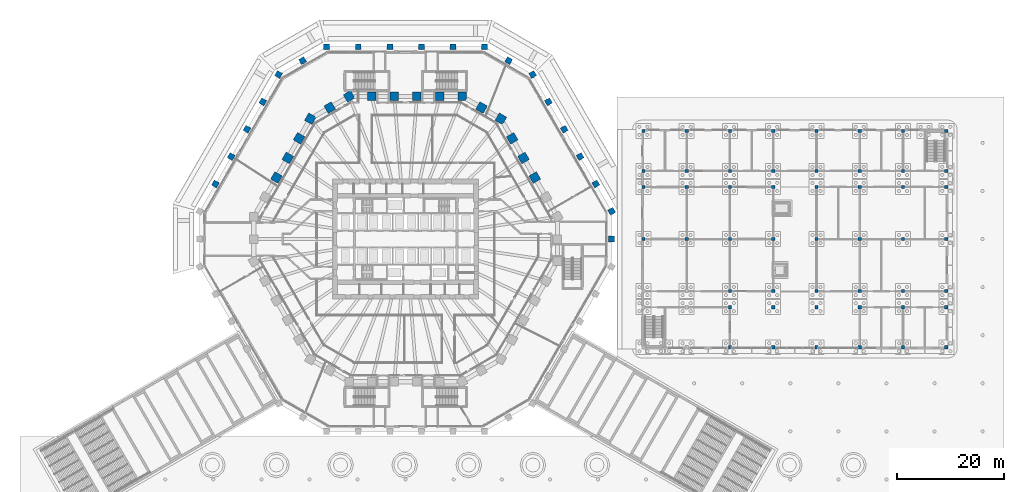
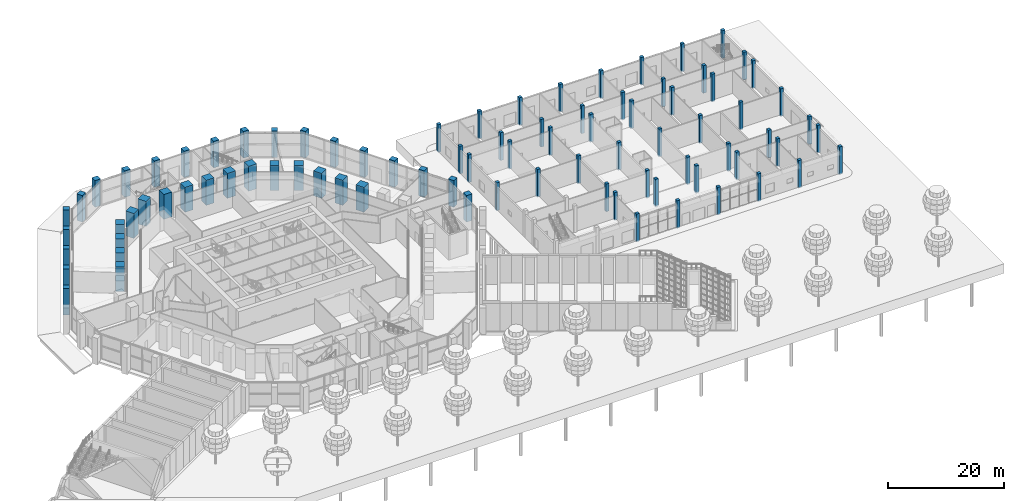
# One storey, part 3 of 44: 86 columns.
"""IFC4 building model written with IfcOpenShell, lengths in metres."""

from ifc_helpers import new_model, si_unit, direction, frame, origin, origin_2d, place, context, subcontext, project, spatial, rectangle, extrude, material, material_profile, profile_set, type_object, element, save


model = new_model("IFC4")

# Units and contexts
model_context = context("Model", 3, precision=1e-05, world=origin(), true_north=direction((0.0, 1.0)))
body_context = subcontext(model_context, "Body", "Model", "MODEL_VIEW")
ifc_project = project(units=[si_unit("LENGTHUNIT", "METRE"), si_unit("AREAUNIT", "SQUARE_METRE"), si_unit("VOLUMEUNIT", "CUBIC_METRE"), si_unit("PLANEANGLEUNIT", "RADIAN"), si_unit("MASSUNIT", "GRAM", prefix="KILO")], contexts=[model_context])

# Site, building, storey
site_placement = place(None, origin())
site = spatial("IfcSite", under=ifc_project, at=site_placement, CompositionType="ELEMENT")
building_placement = place(site_placement, origin())
building = spatial("IfcBuilding", under=site, at=building_placement, Name="Frailejon Research Tower", CompositionType="ELEMENT")
storey_placement = place(building_placement, origin())
storey = spatial("IfcBuildingStorey", under=building, at=storey_placement, Name="L00", CompositionType="ELEMENT", Elevation=0.0)

# Columns
ifc_material_1 = material(Name="Concrete C70/85", Category="concrete")
ifc_material_profile_1 = material_profile(ifc_material_1, rectangle(XDim=1.60009765625, YDim=1.60009765625, at=origin_2d()), Name="Column 1600")
ifc_profile_set_1 = profile_set([ifc_material_profile_1], Name="Concrete C70/85")
column_type_1 = type_object("IfcColumnType", Name="Column 1600", PredefinedType="COLUMN", material=ifc_profile_set_1)
for number, where, z_axis, x_axis, name in (
    (1, (24.180908203125, 11.517578125, 0.0), (0.0, 0.0, 1.0), (-0.5, 0.866025403784, 0.0), "Column C05"),
    (2, (22.06494140625, 15.1826171875, 0.0), (0.0, 0.0, 1.0), (-0.5, 0.866025403784, 0.0), "Column C06"),
    (3, (19.948974609375, 18.847412109375, 0.0), (0.0, 0.0, 1.0), (-0.5, 0.866025403784, 0.0), "Column C07"),
    (4, (17.8330078125, 22.512451171875, 0.0), (0.0, 0.0, 1.0), (-0.866025403784, 0.5, 0.0), "Column C08"),
    (5, (14.206298828125, 24.606201171875, 0.0), (0.0, 0.0, 1.0), (-0.866025403784, 0.5, 0.0), "Column C09"),
    (6, (10.579833984375, 26.699951171875, 0.0), (0.0, 0.0, 1.0), (-1.0, 0.0, 0.0), "Column C10"),
    (7, (6.347900390625, 26.699951171875, 0.0), (0.0, 0.0, 1.0), (-1.0, 0.0, 0.0), "Column C11"),
    (8, (2.115966796875, 26.699951171875, 0.0), (0.0, 0.0, 1.0), (-1.0, 0.0, 0.0), "Column C12"),
    (9, (-2.115966796875, 26.699951171875, 0.0), (0.0, 0.0, 1.0), (-1.0, 0.0, 0.0), "Column C13"),
    (10, (-6.347900390625, 26.699951171875, 0.0), (0.0, 0.0, 1.0), (-1.0, 0.0, 0.0), "Column C14"),
    (11, (-10.579833984375, 26.699951171875, 0.0), (0.0, 0.0, 1.0), (-0.866025403784, -0.5, 0.0), "Column C15"),
    (12, (-14.206298828125, 24.606201171875, 0.0), (0.0, 0.0, 1.0), (-0.866025403784, -0.5, 0.0), "Column C16"),
    (13, (-17.8330078125, 22.512451171875, 0.0), (0.0, 0.0, 1.0), (-0.5, -0.866025403784, 0.0), "Column C17"),
    (14, (-19.948974609375, 18.847412109375, 0.0), (0.0, 0.0, 1.0), (-0.5, -0.866025403784, 0.0), "Column C18"),
    (15, (-22.06494140625, 15.1826171875, 0.0), (0.0, 0.0, 1.0), (-0.5, -0.866025403784, 0.0), "Column C19"),
    (16, (-24.180908203125, 11.517578125, 0.0), (0.0, 0.0, 1.0), (-0.5, -0.866025403784, 0.0), "Column C20"),
):
    element("IfcColumn", number, at=place(storey_placement, frame(where, z_axis=z_axis, x_axis=x_axis)), inside=storey, type_object=column_type_1, Name=name, PredefinedType="COLUMN", context=body_context, shape_type="SweptSolid", body=[
        extrude(rectangle(XDim=1.60009765625, YDim=1.60009765625, at=origin_2d()), origin(), (0.0, 0.0, 1.0), 5.25),
    ])
ifc_material_2 = material(Name="Concrete C60/75", Category="concrete")
ifc_material_profile_2 = material_profile(ifc_material_2, rectangle(XDim=1.10009765625, YDim=1.10009765625, at=origin_2d()), Name="Column base ring 1100")
ifc_profile_set_2 = profile_set([ifc_material_profile_2], Name="Concrete C60/75")
column_type_2 = type_object("IfcColumnType", Name="Column base ring 1100", PredefinedType="COLUMN", material=ifc_profile_set_2)
for number, where, z_axis, x_axis, name in (
    (17, (38.569091796875, 0.0, -0.35009765625), (0.0, 0.0, 1.0), (0.0, 1.0, 0.0), "Column B02"),
    (18, (38.569091796875, 5.1962890625, -0.35009765625), (0.0, 0.0, 1.0), (-0.5, 0.866025403784, 0.0), "Column B03"),
    (19, (35.6123046875, 10.317626953125, -0.35009765625), (0.0, 0.0, 1.0), (-0.5, 0.866025403784, 0.0), "Column B04"),
    (20, (32.655517578125, 15.439208984375, -0.35009765625), (0.0, 0.0, 1.0), (-0.5, 0.866025403784, 0.0), "Column B05"),
    (21, (29.698486328125, 20.560791015625, -0.35009765625), (0.0, 0.0, 1.0), (-0.5, 0.866025403784, 0.0), "Column B06"),
    (22, (26.741455078125, 25.682373046875, -0.35009765625), (0.0, 0.0, 1.0), (-0.5, 0.866025403784, 0.0), "Column B07"),
    (23, (23.78466796875, 30.8037109375, -0.35009765625), (0.0, 0.0, 1.0), (-0.5, 0.866025403784, 0.0), "Column B08"),
    (24, (19.28466796875, 33.40185546875, -0.35009765625), (0.0, 0.0, 1.0), (-0.866025403784, 0.5, 0.0), "Column B09"),
    (25, (14.78466796875, 36.0, -0.35009765625), (0.0, 0.0, 1.0), (-1.0, 0.0, 0.0), "Column B10"),
    (26, (8.870849609375, 36.0, -0.35009765625), (0.0, 0.0, 1.0), (-1.0, 0.0, 0.0), "Column B11"),
    (27, (2.956787109375, 36.0, -0.35009765625), (0.0, 0.0, 1.0), (-1.0, 0.0, 0.0), "Column B12"),
    (28, (-2.956787109375, 36.0, -0.35009765625), (0.0, 0.0, 1.0), (-1.0, 0.0, 0.0), "Column B13"),
    (29, (-8.870849609375, 36.0, -0.35009765625), (0.0, 0.0, 1.0), (-1.0, 0.0, 0.0), "Column B14"),
    (30, (-14.78466796875, 36.0, -0.35009765625), (0.0, 0.0, 1.0), (-1.0, 0.0, 0.0), "Column B15"),
    (31, (-19.28466796875, 33.40185546875, -0.35009765625), (0.0, 0.0, 1.0), (-0.866025403784, -0.5, 0.0), "Column B16"),
    (32, (-23.78466796875, 30.8037109375, -0.35009765625), (0.0, 0.0, 1.0), (-0.5, -0.866025403784, 0.0), "Column B17"),
    (33, (-26.741455078125, 25.682373046875, -0.35009765625), (0.0, 0.0, 1.0), (-0.5, -0.866025403784, 0.0), "Column B18"),
    (34, (-29.698486328125, 20.560791015625, -0.35009765625), (0.0, 0.0, 1.0), (-0.5, -0.866025403784, 0.0), "Column B19"),
    (35, (-32.655517578125, 15.439208984375, -0.35009765625), (0.0, 0.0, 1.0), (-0.5, -0.866025403784, 0.0), "Column B20"),
    (36, (-35.6123046875, 10.317626953125, -0.35009765625), (0.0, 0.0, 1.0), (-0.5, -0.866025403784, 0.0), "Column B21"),
):
    element("IfcColumn", number, at=place(storey_placement, frame(where, z_axis=z_axis, x_axis=x_axis)), inside=storey, type_object=column_type_2, Name=name, PredefinedType="COLUMN", context=body_context, shape_type="SweptSolid", body=[
        extrude(rectangle(XDim=1.10009765625, YDim=1.10009765625, at=origin_2d()), origin(), (0.0, 0.0, 1.0), 5.60009765625),
    ])
ifc_material_3 = material(Name="Concrete C35/45", Category="concrete")
ifc_material_profile_3 = material_profile(ifc_material_3, rectangle(XDim=0.60009765625, YDim=0.60009765625, at=origin_2d()), Name="HC column 600x600")
ifc_profile_set_3 = profile_set([ifc_material_profile_3], Name="Concrete C35/45")
column_type_3 = type_object("IfcColumnType", Name="HC column 600x600", PredefinedType="COLUMN", material=ifc_profile_set_3)
for number, where, z_axis, x_axis, name in (
    (37, (60.699951171875, -20.25, -0.25), (0.0, 0.0, 1.0), (1.0, 0.0, 0.0), "HC column A3 L00"),
    (38, (68.800048828125, -20.25, -0.25), (0.0, 0.0, 1.0), (1.0, 0.0, 0.0), "HC column A4 L00"),
    (39, (76.89990234375, -20.25, -0.25), (0.0, 0.0, 1.0), (1.0, 0.0, 0.0), "HC column A5 L00"),
    (40, (85.0, -20.25, -0.25), (0.0, 0.0, 1.0), (1.0, 0.0, 0.0), "HC column A6 L00"),
    (41, (93.10009765625, -20.25, -0.25), (0.0, 0.0, 1.0), (1.0, 0.0, 0.0), "HC column A7 L00"),
    (42, (101.199951171875, -20.25, -0.25), (0.0, 0.0, 1.0), (1.0, 0.0, 0.0), "HC column A8 L00"),
    (43, (60.699951171875, -12.75, -0.25), (0.0, 0.0, 1.0), (1.0, 0.0, 0.0), "HC column B3 L00"),
    (44, (68.800048828125, -12.75, -0.25), (0.0, 0.0, 1.0), (1.0, 0.0, 0.0), "HC column B4 L00"),
    (45, (76.89990234375, -12.75, -0.25), (0.0, 0.0, 1.0), (1.0, 0.0, 0.0), "HC column B5 L00"),
    (46, (85.0, -12.75, -0.25), (0.0, 0.0, 1.0), (1.0, 0.0, 0.0), "HC column B6 L00"),
    (47, (93.10009765625, -12.75, -0.25), (0.0, 0.0, 1.0), (1.0, 0.0, 0.0), "HC column B7 L00"),
    (48, (101.199951171875, -12.75, -0.25), (0.0, 0.0, 1.0), (1.0, 0.0, 0.0), "HC column B8 L00"),
    (49, (60.699951171875, -9.75, -0.25), (0.0, 0.0, 1.0), (1.0, 0.0, 0.0), "HC column C3 L00"),
    (50, (68.800048828125, -9.75, -0.25), (0.0, 0.0, 1.0), (1.0, 0.0, 0.0), "HC column C4 L00"),
    (51, (76.89990234375, -9.75, -0.25), (0.0, 0.0, 1.0), (1.0, 0.0, 0.0), "HC column C5 L00"),
    (52, (85.0, -9.75, -0.25), (0.0, 0.0, 1.0), (1.0, 0.0, 0.0), "HC column C6 L00"),
    (53, (93.10009765625, -9.75, -0.25), (0.0, 0.0, 1.0), (1.0, 0.0, 0.0), "HC column C7 L00"),
    (54, (101.199951171875, -9.75, -0.25), (0.0, 0.0, 1.0), (1.0, 0.0, 0.0), "HC column C8 L00"),
    (55, (44.5, 0.0, -0.25), (0.0, 0.0, 1.0), (1.0, 0.0, 0.0), "HC column D1 L00"),
    (56, (52.60009765625, 0.0, -0.25), (0.0, 0.0, 1.0), (1.0, 0.0, 0.0), "HC column D2 L00"),
    (57, (60.699951171875, 0.0, -0.25), (0.0, 0.0, 1.0), (1.0, 0.0, 0.0), "HC column D3 L00"),
    (58, (68.800048828125, 0.0, -0.25), (0.0, 0.0, 1.0), (1.0, 0.0, 0.0), "HC column D4 L00"),
    (59, (76.89990234375, 0.0, -0.25), (0.0, 0.0, 1.0), (1.0, 0.0, 0.0), "HC column D5 L00"),
    (60, (85.0, 0.0, -0.25), (0.0, 0.0, 1.0), (1.0, 0.0, 0.0), "HC column D6 L00"),
    (61, (93.10009765625, 0.0, -0.25), (0.0, 0.0, 1.0), (1.0, 0.0, 0.0), "HC column D7 L00"),
    (62, (101.199951171875, 0.0, -0.25), (0.0, 0.0, 1.0), (1.0, 0.0, 0.0), "HC column D8 L00"),
    (63, (44.5, 9.75, -0.25), (0.0, 0.0, 1.0), (1.0, 0.0, 0.0), "HC column E1 L00"),
    (64, (52.60009765625, 9.75, -0.25), (0.0, 0.0, 1.0), (1.0, 0.0, 0.0), "HC column E2 L00"),
    (65, (60.699951171875, 9.75, -0.25), (0.0, 0.0, 1.0), (1.0, 0.0, 0.0), "HC column E3 L00"),
    (66, (68.800048828125, 9.75, -0.25), (0.0, 0.0, 1.0), (1.0, 0.0, 0.0), "HC column E4 L00"),
    (67, (76.89990234375, 9.75, -0.25), (0.0, 0.0, 1.0), (1.0, 0.0, 0.0), "HC column E5 L00"),
    (68, (85.0, 9.75, -0.25), (0.0, 0.0, 1.0), (1.0, 0.0, 0.0), "HC column E6 L00"),
    (69, (93.10009765625, 9.75, -0.25), (0.0, 0.0, 1.0), (1.0, 0.0, 0.0), "HC column E7 L00"),
    (70, (101.199951171875, 9.75, -0.25), (0.0, 0.0, 1.0), (1.0, 0.0, 0.0), "HC column E8 L00"),
    (71, (44.5, 12.75, -0.25), (0.0, 0.0, 1.0), (1.0, 0.0, 0.0), "HC column F1 L00"),
    (72, (52.60009765625, 12.75, -0.25), (0.0, 0.0, 1.0), (1.0, 0.0, 0.0), "HC column F2 L00"),
    (73, (60.699951171875, 12.75, -0.25), (0.0, 0.0, 1.0), (1.0, 0.0, 0.0), "HC column F3 L00"),
    (74, (68.800048828125, 12.75, -0.25), (0.0, 0.0, 1.0), (1.0, 0.0, 0.0), "HC column F4 L00"),
    (75, (76.89990234375, 12.75, -0.25), (0.0, 0.0, 1.0), (1.0, 0.0, 0.0), "HC column F5 L00"),
    (76, (85.0, 12.75, -0.25), (0.0, 0.0, 1.0), (1.0, 0.0, 0.0), "HC column F6 L00"),
    (77, (93.10009765625, 12.75, -0.25), (0.0, 0.0, 1.0), (1.0, 0.0, 0.0), "HC column F7 L00"),
    (78, (101.199951171875, 12.75, -0.25), (0.0, 0.0, 1.0), (1.0, 0.0, 0.0), "HC column F8 L00"),
    (79, (44.5, 20.25, -0.25), (0.0, 0.0, 1.0), (1.0, 0.0, 0.0), "HC column G1 L00"),
    (80, (52.60009765625, 20.25, -0.25), (0.0, 0.0, 1.0), (1.0, 0.0, 0.0), "HC column G2 L00"),
    (81, (60.699951171875, 20.25, -0.25), (0.0, 0.0, 1.0), (1.0, 0.0, 0.0), "HC column G3 L00"),
    (82, (68.800048828125, 20.25, -0.25), (0.0, 0.0, 1.0), (1.0, 0.0, 0.0), "HC column G4 L00"),
    (83, (76.89990234375, 20.25, -0.25), (0.0, 0.0, 1.0), (1.0, 0.0, 0.0), "HC column G5 L00"),
    (84, (85.0, 20.25, -0.25), (0.0, 0.0, 1.0), (1.0, 0.0, 0.0), "HC column G6 L00"),
    (85, (93.10009765625, 20.25, -0.25), (0.0, 0.0, 1.0), (1.0, 0.0, 0.0), "HC column G7 L00"),
    (86, (101.199951171875, 20.25, -0.25), (0.0, 0.0, 1.0), (1.0, 0.0, 0.0), "HC column G8 L00"),
):
    element("IfcColumn", number, at=place(storey_placement, frame(where, z_axis=z_axis, x_axis=x_axis)), inside=storey, type_object=column_type_3, Name=name, PredefinedType="COLUMN", context=body_context, shape_type="SweptSolid", body=[
        extrude(rectangle(XDim=0.60009765625, YDim=0.60009765625, at=origin_2d()), origin(), (0.0, 0.0, 1.0), 5.85009765625),
    ])

save(model, "model.ifc")
